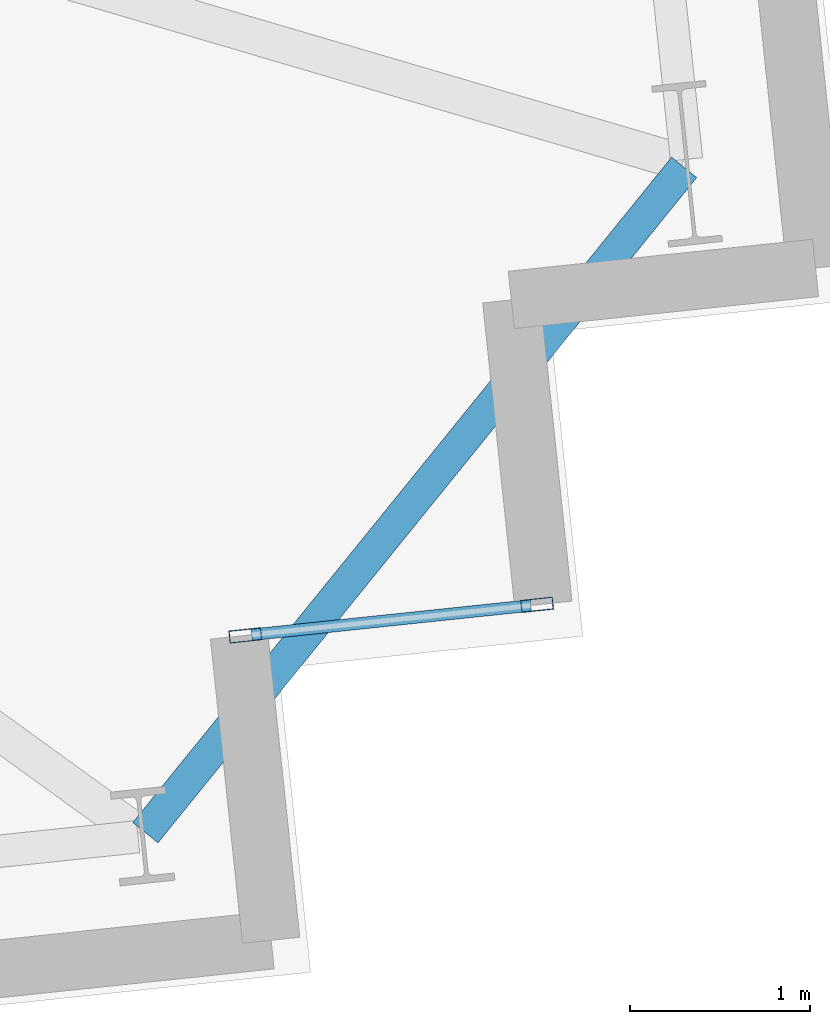
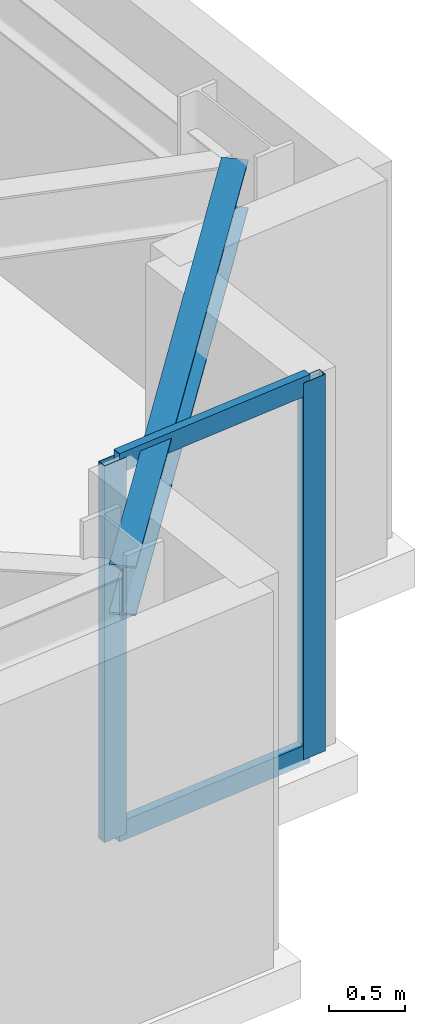
# One storey, part 6 of 19: 4 members, 1 beam, 1 element without a shape of its own.
"""IFC4 building model written with IfcOpenShell, lengths in metres."""

from ifc_helpers import new_model, si_unit, direction, frame, origin, origin_2d, place, context, subcontext, project, spatial, hollow_rectangle, i_section, extrude, material, layer, layer_set, material_profile, profile_set, type_object, element, aggregate, save


model = new_model("IFC4")

# Units and contexts
model_context = context("Model", 3, precision=1e-05, world=origin(), true_north=direction((0.0, 1.0)))
body_context = subcontext(model_context, "Body", "Model", "MODEL_VIEW")
ifc_project = project(units=[si_unit("LENGTHUNIT", "METRE"), si_unit("AREAUNIT", "SQUARE_METRE"), si_unit("VOLUMEUNIT", "CUBIC_METRE"), si_unit("PLANEANGLEUNIT", "RADIAN"), si_unit("MASSUNIT", "GRAM", prefix="KILO")], contexts=[model_context])

# Site, building, storey
site_placement = place(None, origin())
site = spatial("IfcSite", under=ifc_project, at=site_placement, CompositionType="ELEMENT")
building_placement = place(site_placement, origin())
building = spatial("IfcBuilding", under=site, at=building_placement, Name="Qobustan Lattice House", CompositionType="ELEMENT")
storey_placement = place(building_placement, frame((0.0, 0.0, 115.85009765625)))
storey = spatial("IfcBuildingStorey", under=building, at=storey_placement, Name="L32", CompositionType="ELEMENT", Elevation=115.85009765625)

# Beam
ifc_material_1 = material(Name="Steel S355", Category="steel")
ifc_material_profile_1 = material_profile(ifc_material_1, i_section(OverallWidth=0.179931640625, OverallDepth=0.39990234375, WebThickness=0.008544921875, FlangeThickness=0.013427734375, FilletRadius=0.02099609375, at=origin_2d()), Name="IPE400")
ifc_profile_set_1 = profile_set([ifc_material_profile_1], Name="Steel S355")
beam_type = type_object("IfcBeamType", Name="BM-SPD-IPE400", PredefinedType="SPANDREL", material=ifc_profile_set_1)
beam_placement = place(storey_placement, frame((29.608642578125, -13.3876953125, 2.844970703125), z_axis=(0.629351720588, 0.777120590252, 0.0), x_axis=(-0.777120590252, 0.629351720588, 0.0)))
element("IfcBeam", 1, at=beam_placement, inside=storey, type_object=beam_type, Name="L32 perimeter spandrel S7-E1", PredefinedType="SPANDREL", context=body_context, shape_type="SweptSolid", body=[
    extrude(i_section(OverallWidth=0.179931640625, OverallDepth=0.39990234375, WebThickness=0.008544921875, FlangeThickness=0.013427734375, FilletRadius=0.02099609375, at=origin_2d()), origin(), (0.0, 0.0, 1.0), 4.75830078125),
])

# Curtain wall, members
ifc_material_2 = material(Name="Anodised aluminium and low-E glazing", Category="aluminium")
ifc_layer = layer(ifc_material_2, 0.219970703125)
ifc_layer_set = layer_set([ifc_layer], Name="Anodised aluminium and low-E glazing")
curtain_wall_type = type_object("IfcCurtainWallType", Name="CW-FAC-01", PredefinedType="USERDEFINED", material=ifc_layer_set)
curtain_wall_placement = place(storey_placement, origin())
curtain_wall = element("IfcCurtainWall", 2, at=curtain_wall_placement, inside=storey, type_object=curtain_wall_type, Name="L32 serrated corner faceted glazing 18", ObjectType="CURTAIN WALL", PredefinedType="USERDEFINED")
ifc_material_3 = material(Name="Anodised aluminium EN AW-6063 T6", Category="aluminium")
ifc_material_profile_2 = material_profile(ifc_material_3, hollow_rectangle(XDim=0.070068359375, YDim=0.179931640625, WallThickness=0.00439453125, at=origin_2d()), Name="CWM-180x70")
ifc_profile_set_2 = profile_set([ifc_material_profile_2], Name="Anodised aluminium EN AW-6063 T6")
member_type_1 = type_object("IfcMemberType", Name="CWM-STD-180", PredefinedType="MULLION", material=ifc_profile_set_2)
member_1_placement = place(storey_placement, frame((31.785400390625, -12.12109375, 0.0), z_axis=(0.0, 0.0, 1.0), x_axis=(0.104528620025, -0.994521878892, 0.0)))
member_1 = element("IfcMember", 3, at=member_1_placement, type_object=member_type_1, Name="CW-F1 mullion 1", PredefinedType="MULLION", context=body_context, shape_type="SweptSolid", body=[
    extrude(hollow_rectangle(XDim=0.070068359375, YDim=0.179931640625, WallThickness=0.00439453125, at=origin_2d()), origin(), (0.0, 0.0, 1.0), 3.044921875),
])
member_2_placement = place(storey_placement, frame((30.164306640625, -12.29150390625, 0.0), z_axis=(0.0, 0.0, 1.0), x_axis=(0.104528620025, -0.994521878892, 0.0)))
member_2 = element("IfcMember", 4, at=member_2_placement, type_object=member_type_1, Name="CW-F1 mullion 2", PredefinedType="MULLION", context=body_context, shape_type="SweptSolid", body=[
    extrude(hollow_rectangle(XDim=0.070068359375, YDim=0.179931640625, WallThickness=0.00439453125, at=origin_2d()), origin(), (0.0, 0.0, 1.0), 3.044921875),
])
ifc_material_4 = material(Name="Anodised aluminium EN AW-6063 T6", Category="aluminium")
ifc_material_profile_3 = material_profile(ifc_material_4, hollow_rectangle(XDim=0.06494140625, YDim=0.159912109375, WallThickness=0.00390625, at=origin_2d()), Name="CWT-160x65")
ifc_profile_set_3 = profile_set([ifc_material_profile_3], Name="Anodised aluminium EN AW-6063 T6")
member_type_2 = type_object("IfcMemberType", Name="CWT-HOR-160", PredefinedType="USERDEFINED", material=ifc_profile_set_3)
member_3_placement = place(storey_placement, frame((31.750732421875, -12.124755859375, 0.032470703125), z_axis=(-0.994520877159, -0.104538150424, 0.0), x_axis=(0.104538150424, -0.994520877159, 0.0)))
member_3 = element("IfcMember", 5, at=member_3_placement, type_object=member_type_2, Name="CW-F1 transom 1.1", ObjectType="TRANSOM", PredefinedType="USERDEFINED", context=body_context, shape_type="SweptSolid", body=[
    extrude(hollow_rectangle(XDim=0.06494140625, YDim=0.159912109375, WallThickness=0.00390625, at=origin_2d()), origin(), (0.0, 0.0, 1.0), 1.56005859375),
])
member_4_placement = place(storey_placement, frame((31.750732421875, -12.124755859375, 3.012451171875), z_axis=(-0.994520877159, -0.104538150424, 0.0), x_axis=(0.104538150424, -0.994520877159, 0.0)))
member_4 = element("IfcMember", 6, at=member_4_placement, type_object=member_type_2, Name="CW-F1 transom 1.2", ObjectType="TRANSOM", PredefinedType="USERDEFINED", context=body_context, shape_type="SweptSolid", body=[
    extrude(hollow_rectangle(XDim=0.06494140625, YDim=0.159912109375, WallThickness=0.00390625, at=origin_2d()), origin(), (0.0, 0.0, 1.0), 1.56005859375),
])
aggregate(curtain_wall, [member_1, member_2, member_3, member_4])

save(model, "model.ifc")
